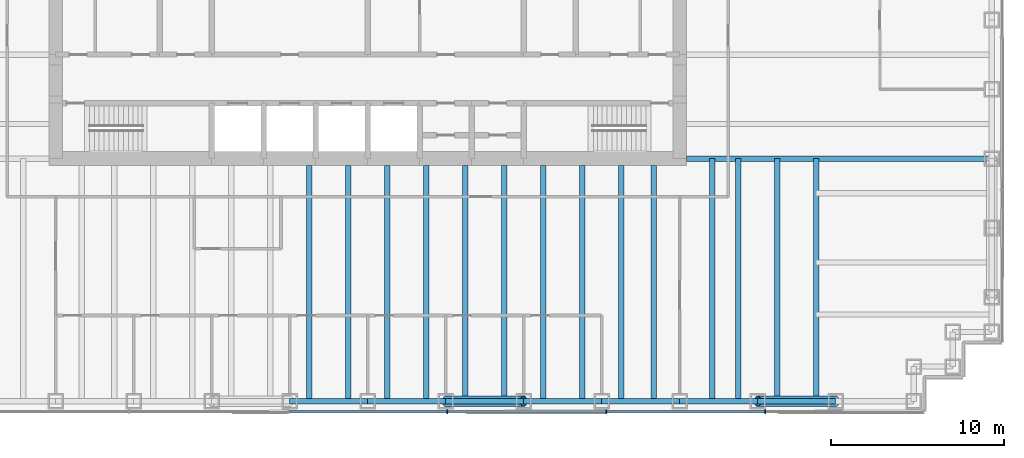
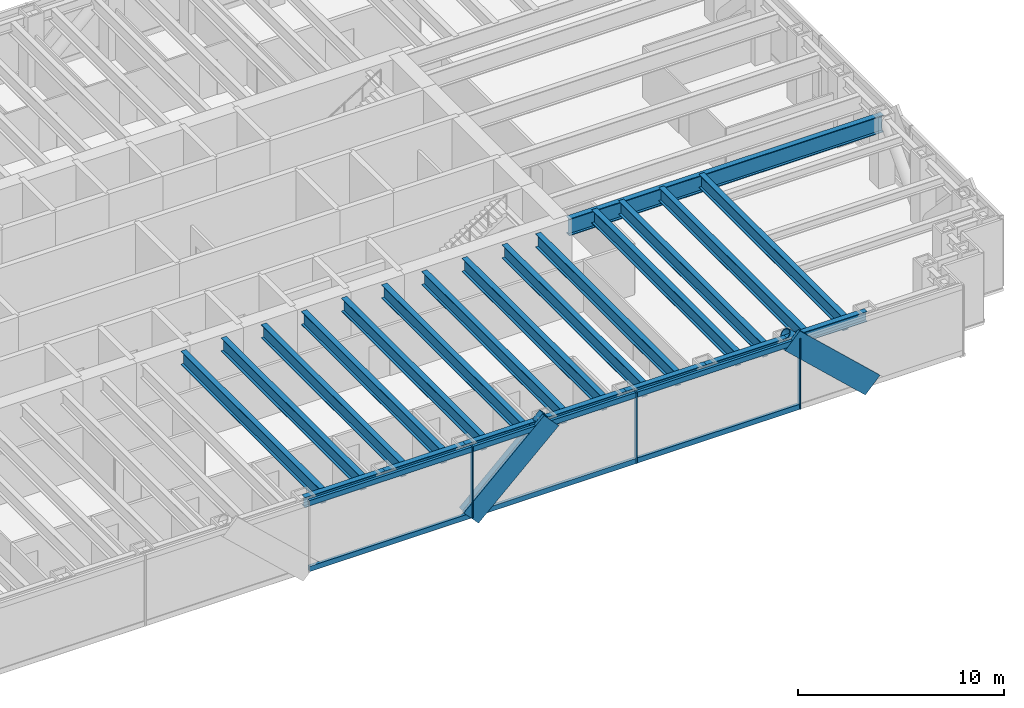
# One storey, part 4 of 17: 22 beams, 13 members, 1 element without a shape of its own.
"""IFC4 building model written with IfcOpenShell, lengths in metres."""

from ifc_helpers import new_model, si_unit, direction, frame, origin, origin_2d, place, context, subcontext, project, spatial, rectangle, hollow_circle, i_section, extrude, material, material_profile, profile_set, type_object, element, aggregate, save


model = new_model("IFC4")

# Units and contexts
model_context = context("Model", 3, precision=1e-05, world=origin(), true_north=direction((0.0, 1.0)))
body_context = subcontext(model_context, "Body", "Model", "MODEL_VIEW")
ifc_project = project(units=[si_unit("LENGTHUNIT", "METRE"), si_unit("AREAUNIT", "SQUARE_METRE"), si_unit("VOLUMEUNIT", "CUBIC_METRE"), si_unit("PLANEANGLEUNIT", "RADIAN"), si_unit("MASSUNIT", "GRAM", prefix="KILO")], contexts=[model_context])

# Site, building, storey
site_placement = place(None, origin())
site = spatial("IfcSite", under=ifc_project, at=site_placement, CompositionType="ELEMENT")
building_placement = place(site_placement, origin())
building = spatial("IfcBuilding", under=site, at=building_placement, Name="Rheinbord Bourse Tower", CompositionType="ELEMENT")
storey_placement = place(building_placement, frame((0.0, 0.0, 190.0)))
storey = spatial("IfcBuildingStorey", under=building, at=storey_placement, Name="L42", CompositionType="ELEMENT", Elevation=190.0)

# Curtain wall, members
ifc_material_1 = material(Name="Dark glass and black aluminium", Category="aluminium")
curtain_wall_type = type_object("IfcCurtainWallType", Name="CW2 DARK GLASS CURTAIN WALL", PredefinedType="USERDEFINED", material=ifc_material_1)
curtain_wall_placement = place(storey_placement, origin())
curtain_wall = element("IfcCurtainWall", 1, at=curtain_wall_placement, inside=storey, type_object=curtain_wall_type, Name="Curtain wall CW2 S L42", ObjectType="UNITISED CURTAIN WALL", PredefinedType="USERDEFINED")
ifc_material_2 = material(Name="Black anodised aluminium", Category="aluminium")
ifc_material_profile_1 = material_profile(ifc_material_2, rectangle(XDim=0.159912109375, YDim=1.2099609375, at=origin_2d()), Name="CW2 DIAGONAL MULLION 1210x160")
ifc_profile_set_1 = profile_set([ifc_material_profile_1], Name="Black anodised aluminium")
member_type_1 = type_object("IfcMemberType", Name="CW2 BLACK DIAGONAL MULLION", PredefinedType="USERDEFINED", material=ifc_profile_set_1)
member_1_placement = place(storey_placement, frame((63.0, 1.39990234375, 0.0), z_axis=(-0.73105922506, 0.0, 0.682314010889), x_axis=(0.0, -1.0, 0.0)))
member_1 = element("IfcMember", 2, at=member_1_placement, type_object=member_type_1, Name="CW2 diagonal mullion a", ObjectType="DIAGONAL MULLION", PredefinedType="USERDEFINED", context=body_context, shape_type="SweptSolid", body=[
    extrude(rectangle(XDim=0.159912109375, YDim=1.2099609375, at=origin_2d()), origin(), (0.0, 0.0, 1.0), 6.155517578125),
])
member_2_placement = place(storey_placement, frame((40.5, 1.39990234375, 0.0), z_axis=(0.73105922506, 0.0, 0.682314010889), x_axis=(0.0, 1.0, 0.0)))
member_2 = element("IfcMember", 3, at=member_2_placement, type_object=member_type_1, Name="CW2 diagonal mullion d", ObjectType="DIAGONAL MULLION", PredefinedType="USERDEFINED", context=body_context, shape_type="SweptSolid", body=[
    extrude(rectangle(XDim=0.159912109375, YDim=1.2099609375, at=origin_2d()), origin(), (0.0, 0.0, 1.0), 6.155517578125),
])
ifc_material_3 = material(Name="Black anodised aluminium", Category="aluminium")
ifc_material_profile_2 = material_profile(ifc_material_3, rectangle(XDim=0.219970703125, YDim=0.070068359375, at=origin_2d()), Name="CW2 MULLION 70x220")
ifc_profile_set_2 = profile_set([ifc_material_profile_2], Name="Black anodised aluminium")
member_type_2 = type_object("IfcMemberType", Name="CW2 BLACK MULLION", PredefinedType="MULLION", material=ifc_profile_set_2)
member_3_placement = place(storey_placement, frame((40.585693359375, 1.39990234375, 0.0), z_axis=(0.0, 0.0, 1.0), x_axis=(0.0, 1.0, 0.0)))
member_3 = element("IfcMember", 4, at=member_3_placement, type_object=member_type_2, Name="CW2 mullion 5", PredefinedType="MULLION", context=body_context, shape_type="SweptSolid", body=[
    extrude(rectangle(XDim=0.219970703125, YDim=0.070068359375, at=origin_2d()), origin(), (0.0, 0.0, 1.0), 4.199951171875),
])
member_4_placement = place(storey_placement, frame((49.757080078125, 1.39990234375, 0.0), z_axis=(0.0, 0.0, 1.0), x_axis=(0.0, 1.0, 0.0)))
member_4 = element("IfcMember", 5, at=member_4_placement, type_object=member_type_2, Name="CW2 mullion 6", PredefinedType="MULLION", context=body_context, shape_type="SweptSolid", body=[
    extrude(rectangle(XDim=0.219970703125, YDim=0.070068359375, at=origin_2d()), origin(), (0.0, 0.0, 1.0), 4.199951171875),
])
member_5_placement = place(storey_placement, frame((58.928466796875, 1.39990234375, 0.0), z_axis=(0.0, 0.0, 1.0), x_axis=(0.0, 1.0, 0.0)))
member_5 = element("IfcMember", 6, at=member_5_placement, type_object=member_type_2, Name="CW2 mullion 7", PredefinedType="MULLION", context=body_context, shape_type="SweptSolid", body=[
    extrude(rectangle(XDim=0.219970703125, YDim=0.070068359375, at=origin_2d()), origin(), (0.0, 0.0, 1.0), 4.199951171875),
])
ifc_material_4 = material(Name="Black anodised aluminium", Category="aluminium")
ifc_material_profile_3 = material_profile(ifc_material_4, rectangle(XDim=0.159912109375, YDim=0.300048828125, at=origin_2d()), Name="CW2 TRANSOM 300x160")
ifc_profile_set_3 = profile_set([ifc_material_profile_3], Name="Black anodised aluminium")
member_type_3 = type_object("IfcMemberType", Name="CW2 BLACK TRANSOM", PredefinedType="USERDEFINED", material=ifc_profile_set_3)
member_6_placement = place(storey_placement, frame((31.44921875, 1.39990234375, 0.14990234375), z_axis=(1.0, 0.0, 0.0), x_axis=(0.0, 1.0, 0.0)))
member_6 = element("IfcMember", 7, at=member_6_placement, type_object=member_type_3, Name="CW2 transom 4.1", ObjectType="TRANSOM", PredefinedType="USERDEFINED", context=body_context, shape_type="SweptSolid", body=[
    extrude(rectangle(XDim=0.159912109375, YDim=0.300048828125, at=origin_2d()), origin(), (0.0, 0.0, 1.0), 9.1015625),
])
member_7_placement = place(storey_placement, frame((31.44921875, 1.39990234375, 4.050048828125), z_axis=(1.0, 0.0, 0.0), x_axis=(0.0, 1.0, 0.0)))
member_7 = element("IfcMember", 8, at=member_7_placement, type_object=member_type_3, Name="CW2 transom 4.2", ObjectType="TRANSOM", PredefinedType="USERDEFINED", context=body_context, shape_type="SweptSolid", body=[
    extrude(rectangle(XDim=0.159912109375, YDim=0.300048828125, at=origin_2d()), origin(), (0.0, 0.0, 1.0), 9.1015625),
])
member_8_placement = place(storey_placement, frame((40.62060546875, 1.39990234375, 0.14990234375), z_axis=(1.0, 0.0, 0.0), x_axis=(0.0, 1.0, 0.0)))
member_8 = element("IfcMember", 9, at=member_8_placement, type_object=member_type_3, Name="CW2 transom 5.1", ObjectType="TRANSOM", PredefinedType="USERDEFINED", context=body_context, shape_type="SweptSolid", body=[
    extrude(rectangle(XDim=0.159912109375, YDim=0.300048828125, at=origin_2d()), origin(), (0.0, 0.0, 1.0), 9.1015625),
])
member_9_placement = place(storey_placement, frame((40.62060546875, 1.39990234375, 4.050048828125), z_axis=(1.0, 0.0, 0.0), x_axis=(0.0, 1.0, 0.0)))
member_9 = element("IfcMember", 10, at=member_9_placement, type_object=member_type_3, Name="CW2 transom 5.2", ObjectType="TRANSOM", PredefinedType="USERDEFINED", context=body_context, shape_type="SweptSolid", body=[
    extrude(rectangle(XDim=0.159912109375, YDim=0.300048828125, at=origin_2d()), origin(), (0.0, 0.0, 1.0), 9.1015625),
])
member_10_placement = place(storey_placement, frame((49.792236328125, 1.39990234375, 0.14990234375), z_axis=(1.0, 0.0, 0.0), x_axis=(0.0, 1.0, 0.0)))
member_10 = element("IfcMember", 11, at=member_10_placement, type_object=member_type_3, Name="CW2 transom 6.1", ObjectType="TRANSOM", PredefinedType="USERDEFINED", context=body_context, shape_type="SweptSolid", body=[
    extrude(rectangle(XDim=0.159912109375, YDim=0.300048828125, at=origin_2d()), origin(), (0.0, 0.0, 1.0), 9.101318359375),
])
member_11_placement = place(storey_placement, frame((49.792236328125, 1.39990234375, 4.050048828125), z_axis=(1.0, 0.0, 0.0), x_axis=(0.0, 1.0, 0.0)))
member_11 = element("IfcMember", 12, at=member_11_placement, type_object=member_type_3, Name="CW2 transom 6.2", ObjectType="TRANSOM", PredefinedType="USERDEFINED", context=body_context, shape_type="SweptSolid", body=[
    extrude(rectangle(XDim=0.159912109375, YDim=0.300048828125, at=origin_2d()), origin(), (0.0, 0.0, 1.0), 9.101318359375),
])
aggregate(curtain_wall, [member_3, member_4, member_5, member_6, member_7, member_8, member_9, member_10, member_11, member_1, member_2])

# Beams
ifc_material_5 = material(Name="Steel S460", Category="steel")
ifc_material_profile_4 = material_profile(ifc_material_5, i_section(OverallWidth=0.300048828125, OverallDepth=0.800048828125, WebThickness=0.017578125, FlangeThickness=0.032958984375, at=origin_2d()), Name="HEB 800")
ifc_profile_set_4 = profile_set([ifc_material_profile_4], Name="Steel S460")
beam_type_1 = type_object("IfcBeamType", Name="FLOOR BEAM HEB 800", PredefinedType="BEAM", material=ifc_profile_set_4)
for number, where, z_axis, x_axis, name in (
    (13, (32.625, 2.0, 3.639892578125), (0.0, 1.0, 0.0), (-1.0, 0.0, 0.0), "Floor beam S-31.5a L43"),
    (14, (34.875, 2.0, 3.639892578125), (0.0, 1.0, 0.0), (-1.0, 0.0, 0.0), "Floor beam S-31.5b L43"),
    (15, (37.125, 2.0, 3.639892578125), (0.0, 1.0, 0.0), (-1.0, 0.0, 0.0), "Floor beam S-36a L43"),
    (16, (39.375, 2.0, 3.639892578125), (0.0, 1.0, 0.0), (-1.0, 0.0, 0.0), "Floor beam S-36b L43"),
    (17, (41.625, 2.0, 3.639892578125), (0.0, 1.0, 0.0), (-1.0, 0.0, 0.0), "Floor beam S-40.5a L43"),
    (18, (43.875, 2.0, 3.639892578125), (0.0, 1.0, 0.0), (-1.0, 0.0, 0.0), "Floor beam S-40.5b L43"),
    (19, (46.125, 2.0, 3.639892578125), (0.0, 1.0, 0.0), (-1.0, 0.0, 0.0), "Floor beam S-45a L43"),
    (20, (48.375, 2.0, 3.639892578125), (0.0, 1.0, 0.0), (-1.0, 0.0, 0.0), "Floor beam S-45b L43"),
    (21, (50.625, 2.0, 3.639892578125), (0.0, 1.0, 0.0), (-1.0, 0.0, 0.0), "Floor beam S-49.5a L43"),
    (22, (52.5, 2.0, 3.639892578125), (0.0, 1.0, 0.0), (-1.0, 0.0, 0.0), "Floor beam S-49.5b L43"),
):
    element("IfcBeam", number, at=place(storey_placement, frame(where, z_axis=z_axis, x_axis=x_axis)), inside=storey, type_object=beam_type_1, Name=name, PredefinedType="BEAM", context=body_context, shape_type="SweptSolid", body=[
        extrude(i_section(OverallWidth=0.300048828125, OverallDepth=0.800048828125, WebThickness=0.017578125, FlangeThickness=0.032958984375, at=origin_2d()), origin(), (0.0, 0.0, 1.0), 13.60009765625),
    ])
for number, where, z_axis, x_axis, name in (
    (23, (55.875, 2.0, 3.639892578125), (0.0, 1.0, 0.0), (-1.0, 0.0, 0.0), "Floor beam S-54a L43"),
    (24, (57.375, 2.0, 3.639892578125), (0.0, 1.0, 0.0), (-1.0, 0.0, 0.0), "Floor beam S-54b L43"),
    (25, (59.625, 2.0, 3.639892578125), (0.0, 1.0, 0.0), (-1.0, 0.0, 0.0), "Floor beam S-58.5a L43"),
    (26, (61.875, 2.0, 3.639892578125), (0.0, 1.0, 0.0), (-1.0, 0.0, 0.0), "Floor beam S-58.5b L43"),
):
    element("IfcBeam", number, at=place(storey_placement, frame(where, z_axis=z_axis, x_axis=x_axis)), inside=storey, type_object=beam_type_1, Name=name, PredefinedType="BEAM", context=body_context, shape_type="SweptSolid", body=[
        extrude(i_section(OverallWidth=0.300048828125, OverallDepth=0.800048828125, WebThickness=0.017578125, FlangeThickness=0.032958984375, at=origin_2d()), origin(), (0.0, 0.0, 1.0), 14.0),
    ])
ifc_material_6 = material(Name="Steel S460", Category="steel")
ifc_material_profile_5 = material_profile(ifc_material_6, i_section(OverallWidth=0.302001953125, OverallDepth=1.008056640625, WebThickness=0.02099609375, FlangeThickness=0.0400390625, at=origin_2d()), Name="HEM 1000")
ifc_profile_set_5 = profile_set([ifc_material_profile_5], Name="Steel S460")
beam_type_2 = type_object("IfcBeamType", Name="GIRDER HEM 1000", PredefinedType="BEAM", material=ifc_profile_set_5)
beam_placement = place(storey_placement, frame((54.39990234375, 16.0, 3.535888671875), z_axis=(1.0, 0.0, 0.0), x_axis=(0.0, 1.0, 0.0)))
element("IfcBeam", 27, at=beam_placement, inside=storey, type_object=beam_type_2, Name="Girder east 16 L43", PredefinedType="BEAM", context=body_context, shape_type="SweptSolid", body=[
    extrude(i_section(OverallWidth=0.302001953125, OverallDepth=1.008056640625, WebThickness=0.02099609375, FlangeThickness=0.0400390625, at=origin_2d()), origin(), (0.0, 0.0, 1.0), 17.60009765625),
])

# Members
ifc_material_7 = material(Name="Steel S460", Category="steel")
ifc_material_profile_6 = material_profile(ifc_material_7, hollow_circle(Radius=0.304931640625, WallThickness=0.0400390625, at=origin_2d()), Name="CHS 610x40")
ifc_profile_set_6 = profile_set([ifc_material_profile_6], Name="Steel S460")
member_type_4 = type_object("IfcMemberType", Name="MEGABRACE CHS 610x40", PredefinedType="BRACE", material=ifc_profile_set_6)
for number, where, z_axis, x_axis, name in (
    (28, (63.0, 2.0, 0.0), (-0.73105922506, 0.0, 0.682314010889), (0.0, -1.0, 0.0), "Megabrace S face line a L42"),
    (29, (40.5, 2.0, 0.0), (0.73105922506, 0.0, 0.682314010889), (0.0, 1.0, 0.0), "Megabrace S face line d L42"),
):
    element("IfcMember", number, at=place(storey_placement, frame(where, z_axis=z_axis, x_axis=x_axis)), inside=storey, type_object=member_type_4, Name=name, PredefinedType="BRACE", context=body_context, shape_type="SweptSolid", body=[
        extrude(hollow_circle(Radius=0.304931640625, WallThickness=0.0400390625, at=origin_2d()), origin(), (0.0, 0.0, 1.0), 6.155517578125),
    ])

# Beams
ifc_material_8 = material(Name="Steel S460", Category="steel")
ifc_material_profile_7 = material_profile(ifc_material_8, i_section(OverallWidth=0.300048828125, OverallDepth=0.60009765625, WebThickness=0.015380859375, FlangeThickness=0.030029296875, at=origin_2d()), Name="HEB 600")
ifc_profile_set_7 = profile_set([ifc_material_profile_7], Name="Steel S460")
beam_type_3 = type_object("IfcBeamType", Name="SPANDREL HEB 600", PredefinedType="SPANDREL", material=ifc_profile_set_7)
for number, where, z_axis, x_axis, name in (
    (30, (31.5, 2.0, 3.739990234375), (1.0, 0.0, 0.0), (0.0, 1.0, 0.0), "Spandrel S-31.5-S-36 under L43"),
    (31, (36.0, 2.0, 3.739990234375), (1.0, 0.0, 0.0), (0.0, 1.0, 0.0), "Spandrel S-36-S-40.5 under L43"),
    (32, (40.5, 2.0, 3.739990234375), (1.0, 0.0, 0.0), (0.0, 1.0, 0.0), "Spandrel S-40.5-S-45 under L43"),
    (33, (45.0, 2.0, 3.739990234375), (1.0, 0.0, 0.0), (0.0, 1.0, 0.0), "Spandrel S-45-S-49.5 under L43"),
    (34, (49.5, 2.0, 3.739990234375), (1.0, 0.0, 0.0), (0.0, 1.0, 0.0), "Spandrel S-49.5-S-54 under L43"),
    (35, (54.0, 2.0, 3.739990234375), (1.0, 0.0, 0.0), (0.0, 1.0, 0.0), "Spandrel S-54-S-58.5 under L43"),
    (36, (58.5, 2.0, 3.739990234375), (1.0, 0.0, 0.0), (0.0, 1.0, 0.0), "Spandrel S-58.5-S-63 under L43"),
):
    element("IfcBeam", number, at=place(storey_placement, frame(where, z_axis=z_axis, x_axis=x_axis)), inside=storey, type_object=beam_type_3, Name=name, PredefinedType="SPANDREL", context=body_context, shape_type="SweptSolid", body=[
        extrude(i_section(OverallWidth=0.300048828125, OverallDepth=0.60009765625, WebThickness=0.015380859375, FlangeThickness=0.030029296875, at=origin_2d()), origin(), (0.0, 0.0, 1.0), 4.5),
    ])

save(model, "model.ifc")
